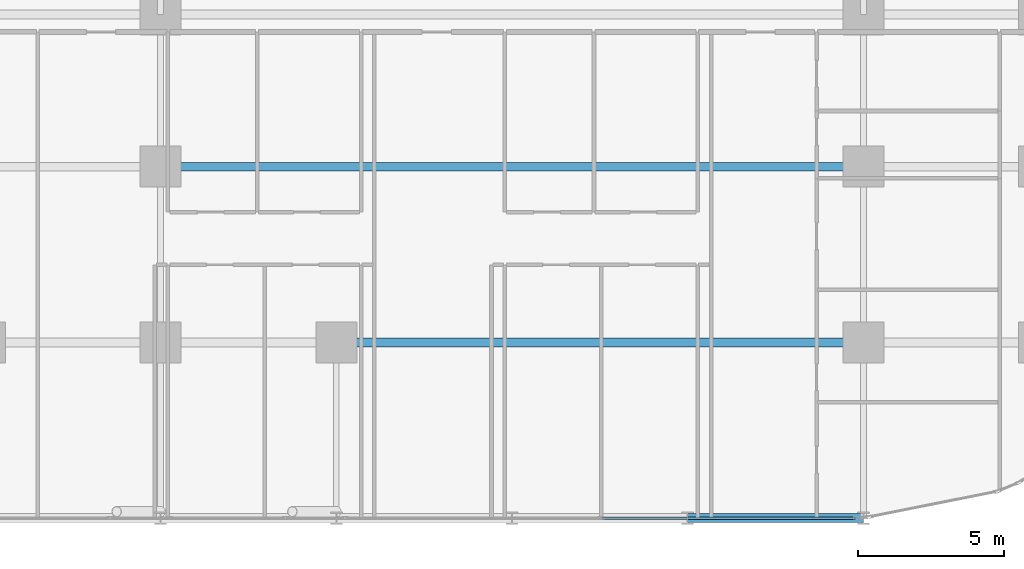
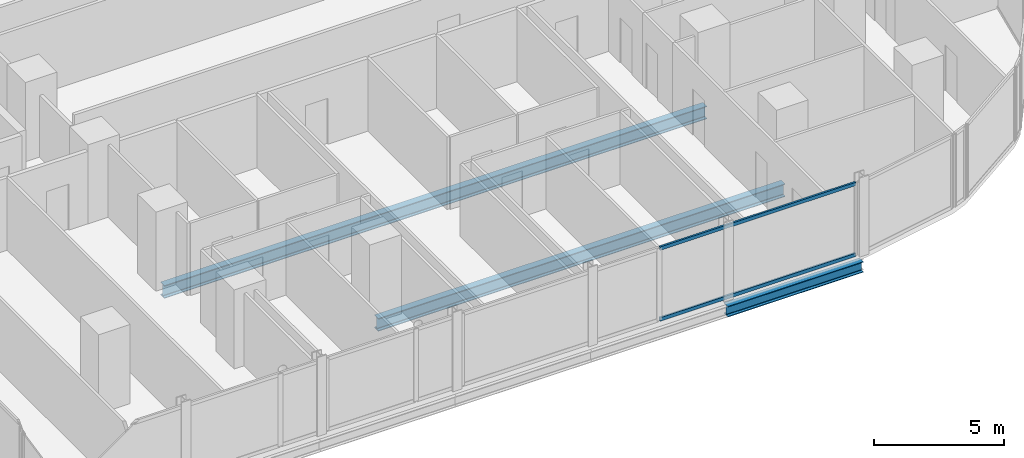
# One storey, part 8 of 33: 3 beams, 2 members, 1 element without a shape of its own.
"""IFC4 building model written with IfcOpenShell, lengths in metres."""

from ifc_helpers import new_model, si_unit, direction, frame, origin, origin_2d, place, context, subcontext, project, spatial, hollow_rectangle, i_section, extrude, material, layer, layer_set, material_profile, profile_set, type_object, element, aggregate, save


model = new_model("IFC4")

# Units and contexts
model_context = context("Model", 3, precision=1e-05, world=origin(), true_north=direction((0.0, 1.0)))
body_context = subcontext(model_context, "Body", "Model", "MODEL_VIEW")
ifc_project = project(units=[si_unit("LENGTHUNIT", "METRE"), si_unit("AREAUNIT", "SQUARE_METRE"), si_unit("VOLUMEUNIT", "CUBIC_METRE"), si_unit("PLANEANGLEUNIT", "RADIAN"), si_unit("MASSUNIT", "GRAM", prefix="KILO")], contexts=[model_context])

# Site, building, storey
site_placement = place(None, origin())
site = spatial("IfcSite", under=ifc_project, at=site_placement, CompositionType="ELEMENT")
building_placement = place(site_placement, origin())
building = spatial("IfcBuilding", under=site, at=building_placement, Name="Keshet Zoharim Tower", CompositionType="ELEMENT")
storey_placement = place(building_placement, frame((0.0, 0.0, 49.89990234375)))
storey = spatial("IfcBuildingStorey", under=building, at=storey_placement, Name="L11", CompositionType="ELEMENT", Elevation=49.89990234375)

# Beams
ifc_material_1 = material(Name="Steel S355", Category="steel")
ifc_material_profile_1 = material_profile(ifc_material_1, i_section(OverallWidth=0.300048828125, OverallDepth=0.60009765625, WebThickness=0.015380859375, FlangeThickness=0.030029296875, FilletRadius=0.027099609375, at=origin_2d()), Name="HEB600")
ifc_profile_set_1 = profile_set([ifc_material_profile_1], Name="Steel S355")
beam_type_1 = type_object("IfcBeamType", Name="BM-LNG-HB600", PredefinedType="BEAM", material=ifc_profile_set_1)
beam_1_placement = place(storey_placement, frame((39.0, 6.699951171875, -0.614990234375), z_axis=(1.0, 0.0, 0.0), x_axis=(0.0, 1.0, 0.0)))
element("IfcBeam", 1, at=beam_1_placement, inside=storey, type_object=beam_type_1, Name="L11 Primary Girder X-009", PredefinedType="BEAM", context=body_context, shape_type="SweptSolid", body=[
    extrude(i_section(OverallWidth=0.300048828125, OverallDepth=0.60009765625, WebThickness=0.015380859375, FlangeThickness=0.030029296875, FilletRadius=0.027099609375, at=origin_2d()), origin(), (0.0, 0.0, 1.0), 18.0),
])
beam_2_placement = place(storey_placement, frame((33.0, 12.699951171875, -0.614990234375), z_axis=(1.0, 0.0, 0.0), x_axis=(0.0, 1.0, 0.0)))
element("IfcBeam", 2, at=beam_2_placement, inside=storey, type_object=beam_type_1, Name="L11 Primary Girder X-012", PredefinedType="BEAM", context=body_context, shape_type="SweptSolid", body=[
    extrude(i_section(OverallWidth=0.300048828125, OverallDepth=0.60009765625, WebThickness=0.015380859375, FlangeThickness=0.030029296875, FilletRadius=0.027099609375, at=origin_2d()), origin(), (0.0, 0.0, 1.0), 24.0),
])
ifc_material_profile_2 = material_profile(ifc_material_1, i_section(OverallWidth=0.300048828125, OverallDepth=0.5, WebThickness=0.014404296875, FlangeThickness=0.028076171875, FilletRadius=0.027099609375, at=origin_2d()), Name="HEB500")
ifc_profile_set_2 = profile_set([ifc_material_profile_2], Name="Steel S355")
beam_type_2 = type_object("IfcBeamType", Name="BM-WEB-HB500", PredefinedType="BEAM", material=ifc_profile_set_2)
beam_3_placement = place(storey_placement, frame((51.0, 0.699951171875, -0.56494140625), z_axis=(1.0, 0.0, 0.0), x_axis=(0.0, 1.0, 0.0)))
element("IfcBeam", 3, at=beam_3_placement, inside=storey, type_object=beam_type_2, Name="L11 Primary Girder X-005", PredefinedType="BEAM", context=body_context, shape_type="SweptSolid", body=[
    extrude(i_section(OverallWidth=0.300048828125, OverallDepth=0.5, WebThickness=0.014404296875, FlangeThickness=0.028076171875, FilletRadius=0.027099609375, at=origin_2d()), origin(), (0.0, 0.0, 1.0), 6.0),
])

# Curtain wall, members
ifc_material_2 = material(Name="Aluminium 6063-T6", Category="aluminium")
ifc_layer = layer(ifc_material_2, 0.179931640625)
ifc_layer_set = layer_set([ifc_layer], Name="Aluminium 6063-T6")
curtain_wall_type = type_object("IfcCurtainWallType", Name="CW-SYS-01", PredefinedType="NOTDEFINED", material=ifc_layer_set)
curtain_wall_placement = place(storey_placement, origin())
curtain_wall = element("IfcCurtainWall", 4, at=curtain_wall_placement, inside=storey, type_object=curtain_wall_type, Name="L11 Unitised Curtain Wall 26", PredefinedType="NOTDEFINED")
ifc_material_profile_3 = material_profile(ifc_material_2, hollow_rectangle(XDim=0.0849609375, YDim=0.159912109375, WallThickness=0.00439453125, at=origin_2d()), Name="TRN-85x160")
ifc_profile_set_3 = profile_set([ifc_material_profile_3], Name="Aluminium 6063-T6")
member_type = type_object("IfcMemberType", Name="CWT-T16", PredefinedType="USERDEFINED", material=ifc_profile_set_3)
member_1_placement = place(storey_placement, frame((56.73291015625, 0.699951171875, 0.03515625), z_axis=(-1.0, 0.0, 0.0), x_axis=(0.0, -1.0, 0.0)))
member_1 = element("IfcMember", 5, at=member_1_placement, type_object=member_type, Name="CW-01 transom 1.1", ObjectType="TRANSOM", PredefinedType="USERDEFINED", context=body_context, shape_type="SweptSolid", body=[
    extrude(hollow_rectangle(XDim=0.0849609375, YDim=0.159912109375, WallThickness=0.00439453125, at=origin_2d()), origin(), (0.0, 0.0, 1.0), 8.6650390625),
])
member_2_placement = place(storey_placement, frame((56.73291015625, 0.699951171875, 3.35009765625), z_axis=(-1.0, 0.0, 0.0), x_axis=(0.0, -1.0, 0.0)))
member_2 = element("IfcMember", 6, at=member_2_placement, type_object=member_type, Name="CW-01 transom 1.2", ObjectType="TRANSOM", PredefinedType="USERDEFINED", context=body_context, shape_type="SweptSolid", body=[
    extrude(hollow_rectangle(XDim=0.0849609375, YDim=0.159912109375, WallThickness=0.00439453125, at=origin_2d()), origin(), (0.0, 0.0, 1.0), 8.6650390625),
])
aggregate(curtain_wall, [member_1, member_2])

save(model, "model.ifc")
